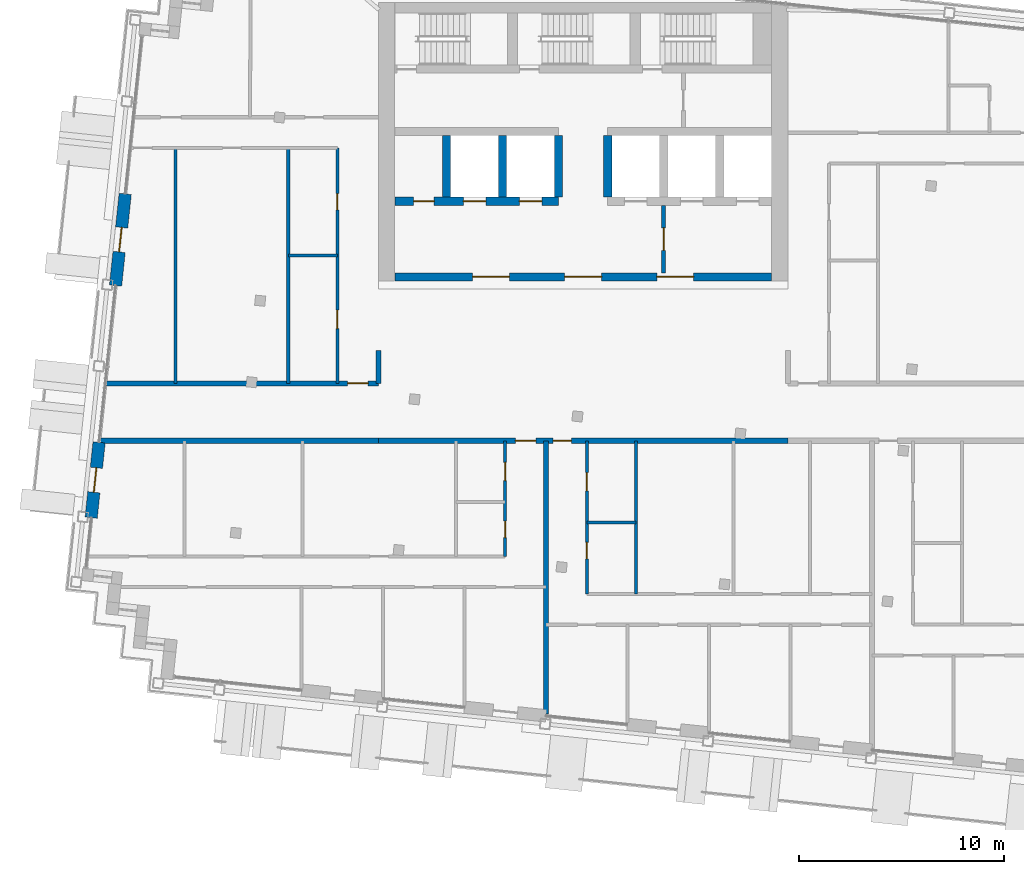
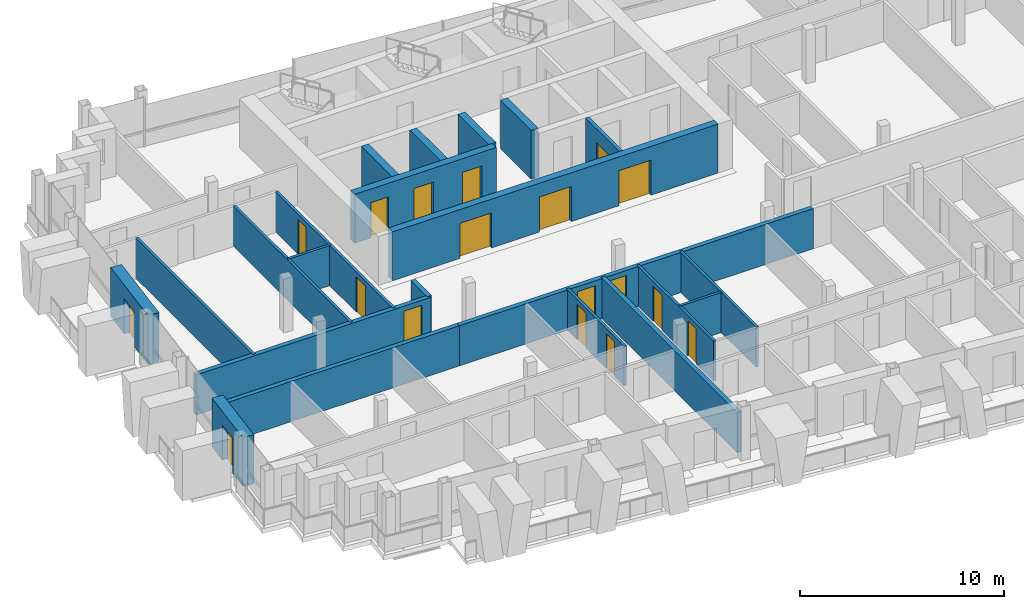
# One storey, part 9 of 17: 22 walls, 18 doors, 18 openings.
"""IFC4 building model written with IfcOpenShell, lengths in metres."""

from ifc_helpers import new_model, si_unit, direction, frame, frame_2d, origin, place, context, subcontext, project, spatial, rectangle, extrude, material, layer, layer_set, type_object, element, fill, save


model = new_model("IFC4")

# Units and contexts
model_context = context("Model", 3, precision=1e-05, world=origin(), true_north=direction((0.0, 1.0)))
body_context = subcontext(model_context, "Body", "Model", "MODEL_VIEW")
ifc_project = project(units=[si_unit("LENGTHUNIT", "METRE"), si_unit("AREAUNIT", "SQUARE_METRE"), si_unit("VOLUMEUNIT", "CUBIC_METRE"), si_unit("PLANEANGLEUNIT", "RADIAN"), si_unit("MASSUNIT", "GRAM", prefix="KILO")], contexts=[model_context])

# Site, building, storey
site_placement = place(None, origin())
site = spatial("IfcSite", under=ifc_project, at=site_placement, CompositionType="ELEMENT")
building_placement = place(site_placement, origin())
building = spatial("IfcBuilding", under=site, at=building_placement, Name="Vidyagriha Tower", CompositionType="ELEMENT")
storey_placement = place(building_placement, frame((0.0, 0.0, 269.10009765625)))
storey = spatial("IfcBuildingStorey", under=building, at=storey_placement, Name="L70", CompositionType="ELEMENT", Elevation=269.10009765625)

# Wall, opening, door
ifc_material_1 = material(Name="Precast concrete C40/50 with brick facing", Category="concrete")
ifc_layer_1 = layer(ifc_material_1, 0.60009765625)
ifc_layer_set_1 = layer_set([ifc_layer_1], Name="Precast concrete C40/50 with brick facing")
wall_type_1 = type_object("IfcWallType", Name="Brick-faced precast wall 600", PredefinedType="STANDARD", material=ifc_layer_set_1)
wall_1_placement = place(storey_placement, frame((-22.36279296875, 10.65673828125, 0.0), z_axis=(0.0, 0.0, 1.0), x_axis=(-0.104492739125, -0.994525649478, 0.0)))
wall_1 = element("IfcWall", 1, at=wall_1_placement, inside=storey, type_object=wall_type_1, Name="Brick door bay wall L70 R14.3", PredefinedType="STANDARD", context=body_context, shape_type="SweptSolid", body=[
    extrude(rectangle(XDim=4.5, YDim=0.60009765625, at=frame_2d((2.25, 0.0))), origin(), (0.0, 0.0, 1.0), 2.919921875),
])
opening_1_placement = place(wall_1_placement, frame((1.64990234375, 0.0, 0.0)))
opening_1 = element("IfcOpeningElement", 2, at=opening_1_placement, cuts=wall_1, Name="Opening D70-58", PredefinedType="OPENING", context=body_context, shape_type="SweptSolid", body=[
    extrude(rectangle(XDim=1.199951171875, YDim=2.10009765625, at=frame_2d((0.60009765625, 1.050048828125))), frame((0.0, 0.31005859375, 0.0), z_axis=(0.0, -1.0, 0.0), x_axis=(1.0, 0.0, 0.0)), (0.0, 0.0, 1.0), 0.6201171875),
])
ifc_material_2 = material(Name="Aluminium framed glazed sliding door", Category="aluminium")
door_type_1 = type_object("IfcDoorType", Name="Balcony sliding door 1200x2100", OperationType="NOTDEFINED", PredefinedType="DOOR", material=ifc_material_2)
door_1_placement = place(opening_1_placement, origin())
door_1 = element("IfcDoor", 3, at=door_1_placement, inside=storey, type_object=door_type_1, Name="Door D70-58", OperationType="SLIDING_TO_LEFT", OverallHeight=2.10009765625, OverallWidth=1.199951171875, PredefinedType="DOOR", context=body_context, shape_type="SweptSolid", body=[
    extrude(rectangle(XDim=1.199951171875, YDim=2.10009765625, at=frame_2d((0.60009765625, 1.050048828125))), frame((0.0, 0.02490234375, 0.0), z_axis=(0.0, -1.0, 0.0), x_axis=(1.0, 0.0, 0.0)), (0.0, 0.0, 1.0), 0.050048828125),
])
fill(opening_1, door_1)

wall_2_placement = place(storey_placement, frame((-23.637939453125, -1.476318359375, 0.0), z_axis=(0.0, 0.0, 1.0), x_axis=(-0.104513052986, -0.994523514933, 0.0)))
wall_2 = element("IfcWall", 4, at=wall_2_placement, inside=storey, type_object=wall_type_1, Name="Brick door bay wall L70 R14.6", PredefinedType="STANDARD", context=body_context, shape_type="SweptSolid", body=[
    extrude(rectangle(XDim=3.7001953125, YDim=0.60009765625, at=frame_2d((1.85009765625, 0.0))), origin(), (0.0, 0.0, 1.0), 2.919921875),
])
opening_2_placement = place(wall_2_placement, frame((1.25, 0.0, 0.0)))
opening_2 = element("IfcOpeningElement", 5, at=opening_2_placement, cuts=wall_2, Name="Opening D70-59", PredefinedType="OPENING", context=body_context, shape_type="SweptSolid", body=[
    extrude(rectangle(XDim=1.199951171875, YDim=2.10009765625, at=frame_2d((0.60009765625, 1.050048828125))), frame((0.0, 0.31005859375, 0.0), z_axis=(0.0, -1.0, 0.0), x_axis=(1.0, 0.0, 0.0)), (0.0, 0.0, 1.0), 0.6201171875),
])
door_2_placement = place(opening_2_placement, origin())
door_2 = element("IfcDoor", 6, at=door_2_placement, inside=storey, type_object=door_type_1, Name="Door D70-59", OperationType="SLIDING_TO_LEFT", OverallHeight=2.10009765625, OverallWidth=1.199951171875, PredefinedType="DOOR", context=body_context, shape_type="SweptSolid", body=[
    extrude(rectangle(XDim=1.199951171875, YDim=2.10009765625, at=frame_2d((0.60009765625, 1.050048828125))), frame((0.0, 0.02490234375, 0.0), z_axis=(0.0, -1.0, 0.0), x_axis=(1.0, 0.0, 0.0)), (0.0, 0.0, 1.0), 0.050048828125),
])
fill(opening_2, door_2)

# Wall, openings, doors
ifc_material_3 = material(Name="Concrete C60/75", Category="concrete")
ifc_layer_2 = layer(ifc_material_3, 0.39990234375)
ifc_layer_set_2 = layer_set([ifc_layer_2], Name="Concrete C60/75")
wall_type_2 = type_object("IfcWallType", Name="Core shear wall 400 mm", PredefinedType="SHEAR", material=ifc_layer_set_2)
wall_3_placement = place(storey_placement, frame((-9.199951171875, 6.60009765625, 0.0)))
wall_3 = element("IfcWall", 7, at=wall_3_placement, inside=storey, type_object=wall_type_2, Name="Core south wall", PredefinedType="SHEAR", context=body_context, shape_type="SweptSolid", body=[
    extrude(rectangle(XDim=18.39990234375, YDim=0.39990234375, at=frame_2d((9.199951171875, 0.0))), origin(), (0.0, 0.0, 1.0), 2.919921875),
])
opening_3_placement = place(wall_3_placement, frame((8.300048828125, 0.0, 0.0)))
opening_3 = element("IfcOpeningElement", 8, at=opening_3_placement, cuts=wall_3, Name="Opening D70-01", PredefinedType="OPENING", context=body_context, shape_type="SweptSolid", body=[
    extrude(rectangle(XDim=1.800048828125, YDim=2.10009765625, at=frame_2d((0.89990234375, 1.050048828125))), frame((0.0, 0.2099609375, 0.0), z_axis=(0.0, -1.0, 0.0), x_axis=(1.0, 0.0, 0.0)), (0.0, 0.0, 1.0), 0.419921875),
])
opening_4_placement = place(wall_3_placement, frame((3.800048828125, 0.0, 0.0)))
opening_4 = element("IfcOpeningElement", 9, at=opening_4_placement, cuts=wall_3, Name="Opening D70-02", PredefinedType="OPENING", context=body_context, shape_type="SweptSolid", body=[
    extrude(rectangle(XDim=1.800048828125, YDim=2.10009765625, at=frame_2d((0.89990234375, 1.050048828125))), frame((0.0, 0.2099609375, 0.0), z_axis=(0.0, -1.0, 0.0), x_axis=(1.0, 0.0, 0.0)), (0.0, 0.0, 1.0), 0.419921875),
])
opening_5_placement = place(wall_3_placement, frame((12.800048828125, 0.0, 0.0)))
opening_5 = element("IfcOpeningElement", 10, at=opening_5_placement, cuts=wall_3, Name="Opening D70-03", PredefinedType="OPENING", context=body_context, shape_type="SweptSolid", body=[
    extrude(rectangle(XDim=1.800048828125, YDim=2.10009765625, at=frame_2d((0.89990234375, 1.050048828125))), frame((0.0, 0.2099609375, 0.0), z_axis=(0.0, -1.0, 0.0), x_axis=(1.0, 0.0, 0.0)), (0.0, 0.0, 1.0), 0.419921875),
])
ifc_material_4 = material(Name="Hollow metal door leaf")
door_type_2 = type_object("IfcDoorType", Name="Core lobby double door 1800 x 2100 mm EI 60", OperationType="NOTDEFINED", PredefinedType="DOOR", material=ifc_material_4)
door_3_placement = place(opening_3_placement, frame((1.800048828125, 0.0, 0.0), z_axis=(0.0, 0.0, 1.0), x_axis=(-1.0, 0.0, 0.0)))
door_3 = element("IfcDoor", 11, at=door_3_placement, inside=storey, type_object=door_type_2, Name="Core entrance door L70", OperationType="DOUBLE_DOOR_SINGLE_SWING", OverallHeight=2.10009765625, OverallWidth=1.800048828125, PredefinedType="DOOR", context=body_context, shape_type="SweptSolid", body=[
    extrude(rectangle(XDim=1.800048828125, YDim=2.10009765625, at=frame_2d((0.89990234375, 1.050048828125))), frame((0.0, 0.02490234375, 0.0), z_axis=(0.0, -1.0, 0.0), x_axis=(1.0, 0.0, 0.0)), (0.0, 0.0, 1.0), 0.050048828125),
])
fill(opening_3, door_3)
door_4_placement = place(opening_4_placement, frame((1.800048828125, 0.0, 0.0), z_axis=(0.0, 0.0, 1.0), x_axis=(-1.0, 0.0, 0.0)))
door_4 = element("IfcDoor", 12, at=door_4_placement, inside=storey, type_object=door_type_2, Name="Core entrance door west L70", OperationType="DOUBLE_DOOR_SINGLE_SWING", OverallHeight=2.10009765625, OverallWidth=1.800048828125, PredefinedType="DOOR", context=body_context, shape_type="SweptSolid", body=[
    extrude(rectangle(XDim=1.800048828125, YDim=2.10009765625, at=frame_2d((0.89990234375, 1.050048828125))), frame((0.0, 0.02490234375, 0.0), z_axis=(0.0, -1.0, 0.0), x_axis=(1.0, 0.0, 0.0)), (0.0, 0.0, 1.0), 0.050048828125),
])
fill(opening_4, door_4)
door_5_placement = place(opening_5_placement, frame((1.800048828125, 0.0, 0.0), z_axis=(0.0, 0.0, 1.0), x_axis=(-1.0, 0.0, 0.0)))
door_5 = element("IfcDoor", 13, at=door_5_placement, inside=storey, type_object=door_type_2, Name="Core entrance door east L70", OperationType="DOUBLE_DOOR_SINGLE_SWING", OverallHeight=2.10009765625, OverallWidth=1.800048828125, PredefinedType="DOOR", context=body_context, shape_type="SweptSolid", body=[
    extrude(rectangle(XDim=1.800048828125, YDim=2.10009765625, at=frame_2d((0.89990234375, 1.050048828125))), frame((0.0, 0.02490234375, 0.0), z_axis=(0.0, -1.0, 0.0), x_axis=(1.0, 0.0, 0.0)), (0.0, 0.0, 1.0), 0.050048828125),
])
fill(opening_5, door_5)

wall_4_placement = place(storey_placement, frame((-9.199951171875, 10.300048828125, 0.0)))
wall_4 = element("IfcWall", 14, at=wall_4_placement, inside=storey, type_object=wall_type_2, Name="Core row N front wall", PredefinedType="SHEAR", context=body_context, shape_type="SweptSolid", body=[
    extrude(rectangle(XDim=8.0, YDim=0.39990234375, at=frame_2d((4.0, 0.0))), origin(), (0.0, 0.0, 1.0), 2.919921875),
])
opening_6_placement = place(wall_4_placement, frame((3.35009765625, 0.0, 0.0)))
opening_6 = element("IfcOpeningElement", 15, at=opening_6_placement, cuts=wall_4, Name="Opening LD70-01", PredefinedType="OPENING", context=body_context, shape_type="SweptSolid", body=[
    extrude(rectangle(XDim=1.10009765625, YDim=2.10009765625, at=frame_2d((0.550048828125, 1.050048828125))), frame((0.0, 0.2099609375, 0.0), z_axis=(0.0, -1.0, 0.0), x_axis=(1.0, 0.0, 0.0)), (0.0, 0.0, 1.0), 0.419921875),
])
opening_7_placement = place(wall_4_placement, frame((6.083251953125, 0.0, 0.0)))
opening_7 = element("IfcOpeningElement", 16, at=opening_7_placement, cuts=wall_4, Name="Opening LD70-02", PredefinedType="OPENING", context=body_context, shape_type="SweptSolid", body=[
    extrude(rectangle(XDim=1.10009765625, YDim=2.10009765625, at=frame_2d((0.550048828125, 1.050048828125))), frame((0.0, 0.2099609375, 0.0), z_axis=(0.0, -1.0, 0.0), x_axis=(1.0, 0.0, 0.0)), (0.0, 0.0, 1.0), 0.419921875),
])
opening_8_placement = place(wall_4_placement, frame((0.916748046875, 0.0, 0.0)))
opening_8 = element("IfcOpeningElement", 17, at=opening_8_placement, cuts=wall_4, Name="Opening D70-04", PredefinedType="OPENING", context=body_context, shape_type="SweptSolid", body=[
    extrude(rectangle(XDim=1.0, YDim=2.10009765625, at=frame_2d((0.5, 1.050048828125))), frame((0.0, 0.2099609375, 0.0), z_axis=(0.0, -1.0, 0.0), x_axis=(1.0, 0.0, 0.0)), (0.0, 0.0, 1.0), 0.419921875),
])
ifc_material_5 = material(Name="Hollow metal door leaf")
door_type_3 = type_object("IfcDoorType", Name="Core room door 1000 x 2100 mm EI 60", OperationType="NOTDEFINED", PredefinedType="DOOR", material=ifc_material_5)
door_6_placement = place(opening_8_placement, frame((1.0, 0.0, 0.0), z_axis=(0.0, 0.0, 1.0), x_axis=(-1.0, 0.0, 0.0)))
door_6 = element("IfcDoor", 18, at=door_6_placement, inside=storey, type_object=door_type_3, Name="Door Mechanical Riser Room 70.14", OperationType="SINGLE_SWING_RIGHT", OverallHeight=2.10009765625, OverallWidth=1.0, PredefinedType="DOOR", context=body_context, shape_type="SweptSolid", body=[
    extrude(rectangle(XDim=1.0, YDim=2.10009765625, at=frame_2d((0.5, 1.050048828125))), frame((0.0, 0.02490234375, 0.0), z_axis=(0.0, -1.0, 0.0), x_axis=(1.0, 0.0, 0.0)), (0.0, 0.0, 1.0), 0.050048828125),
])
fill(opening_8, door_6)
ifc_material_6 = material(Name="Stainless steel sliding door panel", Category="steel")
door_type_4 = type_object("IfcDoorType", Name="Lift landing door 1100 x 2100 mm EI 90", OperationType="NOTDEFINED", PredefinedType="DOOR", material=ifc_material_6)
door_7_placement = place(opening_6_placement, origin())
door_7 = element("IfcDoor", 19, at=door_7_placement, inside=storey, type_object=door_type_4, Name="Landing door HR1 L70", OperationType="SLIDING_TO_LEFT", OverallHeight=2.10009765625, OverallWidth=1.10009765625, PredefinedType="DOOR", context=body_context, shape_type="SweptSolid", body=[
    extrude(rectangle(XDim=1.10009765625, YDim=2.10009765625, at=frame_2d((0.550048828125, 1.050048828125))), frame((0.0, 0.02490234375, 0.0), z_axis=(0.0, -1.0, 0.0), x_axis=(1.0, 0.0, 0.0)), (0.0, 0.0, 1.0), 0.050048828125),
])
fill(opening_6, door_7)
door_8_placement = place(opening_7_placement, origin())
door_8 = element("IfcDoor", 20, at=door_8_placement, inside=storey, type_object=door_type_4, Name="Landing door HR2 L70", OperationType="SLIDING_TO_LEFT", OverallHeight=2.10009765625, OverallWidth=1.10009765625, PredefinedType="DOOR", context=body_context, shape_type="SweptSolid", body=[
    extrude(rectangle(XDim=1.10009765625, YDim=2.10009765625, at=frame_2d((0.550048828125, 1.050048828125))), frame((0.0, 0.02490234375, 0.0), z_axis=(0.0, -1.0, 0.0), x_axis=(1.0, 0.0, 0.0)), (0.0, 0.0, 1.0), 0.050048828125),
])
fill(opening_7, door_8)

# Walls
for number, where, z_axis, x_axis, name in (
    (21, (-6.666748046875, 10.5, 0.0), (0.0, 0.0, 1.0), (0.0, 1.0, 0.0), "Core bay wall N1"),
    (22, (-3.933349609375, 10.5, 0.0), (0.0, 0.0, 1.0), (0.0, 1.0, 0.0), "Core bay wall N2"),
    (23, (-1.199951171875, 10.5, 0.0), (0.0, 0.0, 1.0), (0.0, 1.0, 0.0), "Core bay wall N3"),
    (24, (1.199951171875, 10.5, 0.0), (0.0, 0.0, 1.0), (0.0, 1.0, 0.0), "Core bay wall N4"),
):
    element("IfcWall", number, at=place(storey_placement, frame(where, z_axis=z_axis, x_axis=x_axis)), inside=storey, type_object=wall_type_2, Name=name, PredefinedType="SHEAR", context=body_context, shape_type="SweptSolid", body=[
        extrude(rectangle(XDim=3.0, YDim=0.39990234375, at=frame_2d((1.5, 0.0))), origin(), (0.0, 0.0, 1.0), 2.919921875),
    ])
ifc_material_7 = material(Name="Fired clay brick masonry", Category="masonry")
ifc_layer_3 = layer(ifc_material_7, 0.25)
ifc_layer_set_3 = layer_set([ifc_layer_3], Name="Fired clay brick masonry")
wall_type_3 = type_object("IfcWallType", Name="Fired clay brick corridor wall 250", PredefinedType="PARTITIONING", material=ifc_layer_set_3)
wall_5_placement = place(storey_placement, frame((-10.0, -1.39990234375, 0.0), z_axis=(0.0, 0.0, 1.0), x_axis=(-1.0, 0.0, 0.0)))
element("IfcWall", 25, at=wall_5_placement, inside=storey, type_object=wall_type_3, Name="Wall all-L70-w064", PredefinedType="PARTITIONING", context=body_context, shape_type="SweptSolid", body=[
    extrude(rectangle(XDim=13.5595703125, YDim=0.25, at=frame_2d((6.77978515625, 0.0))), origin(), (0.0, 0.0, 1.0), 2.39990234375),
])

# Wall, opening, door
wall_6_placement = place(storey_placement, frame((-23.26513671875, 1.39990234375, 0.0)))
wall_6 = element("IfcWall", 26, at=wall_6_placement, inside=storey, type_object=wall_type_3, Name="Wall all-L70-w081", PredefinedType="PARTITIONING", context=body_context, shape_type="SweptSolid", body=[
    extrude(rectangle(XDim=13.26513671875, YDim=0.25, at=frame_2d((6.632568359375, 0.0))), origin(), (0.0, 0.0, 1.0), 2.39990234375),
])
opening_9_placement = place(wall_6_placement, frame((11.76513671875, 0.0, 0.0)))
opening_9 = element("IfcOpeningElement", 27, at=opening_9_placement, cuts=wall_6, Name="Opening D70-46", PredefinedType="OPENING", context=body_context, shape_type="SweptSolid", body=[
    extrude(rectangle(XDim=1.0, YDim=2.10009765625, at=frame_2d((0.5, 1.050048828125))), frame((0.0, 0.135009765625, 0.0), z_axis=(0.0, -1.0, 0.0), x_axis=(1.0, 0.0, 0.0)), (0.0, 0.0, 1.0), 0.27001953125),
])
ifc_material_8 = material(Name="Fire-rated timber door leaf EI 60", Category="wood")
door_type_5 = type_object("IfcDoorType", Name="Flat entrance fire door 1000x2100", OperationType="NOTDEFINED", PredefinedType="DOOR", material=ifc_material_8)
door_9_placement = place(opening_9_placement, origin())
door_9 = element("IfcDoor", 28, at=door_9_placement, inside=storey, type_object=door_type_5, Name="Door D70-46", OperationType="SINGLE_SWING_RIGHT", OverallHeight=2.10009765625, OverallWidth=1.0, PredefinedType="DOOR", context=body_context, shape_type="SweptSolid", body=[
    extrude(rectangle(XDim=1.0, YDim=2.10009765625, at=frame_2d((0.5, 1.050048828125))), frame((0.0, 0.02490234375, 0.0), z_axis=(0.0, -1.0, 0.0), x_axis=(1.0, 0.0, 0.0)), (0.0, 0.0, 1.0), 0.050048828125),
])
fill(opening_9, door_9)

# Wall, openings, doors
wall_7_placement = place(storey_placement, frame((10.0, -1.39990234375, 0.0), z_axis=(0.0, 0.0, 1.0), x_axis=(-1.0, 0.0, 0.0)))
wall_7 = element("IfcWall", 29, at=wall_7_placement, inside=storey, type_object=wall_type_3, Name="Wall all-L70-w107", PredefinedType="PARTITIONING", context=body_context, shape_type="SweptSolid", body=[
    extrude(rectangle(XDim=20.0, YDim=0.25, at=frame_2d((10.0, 0.0))), origin(), (0.0, 0.0, 1.0), 2.39990234375),
])
opening_10_placement = place(wall_7_placement, frame((12.31396484375, 0.0, 0.0)))
opening_10 = element("IfcOpeningElement", 30, at=opening_10_placement, cuts=wall_7, Name="Opening D70-19", PredefinedType="OPENING", context=body_context, shape_type="SweptSolid", body=[
    extrude(rectangle(XDim=1.0, YDim=2.10009765625, at=frame_2d((0.5, 1.050048828125))), frame((0.0, 0.135009765625, 0.0), z_axis=(0.0, -1.0, 0.0), x_axis=(1.0, 0.0, 0.0)), (0.0, 0.0, 1.0), 0.27001953125),
])
opening_11_placement = place(wall_7_placement, frame((10.5703125, 0.0, 0.0)))
opening_11 = element("IfcOpeningElement", 31, at=opening_11_placement, cuts=wall_7, Name="Opening D70-29", PredefinedType="OPENING", context=body_context, shape_type="SweptSolid", body=[
    extrude(rectangle(XDim=0.89990234375, YDim=2.10009765625, at=frame_2d((0.449951171875, 1.050048828125))), frame((0.0, 0.135009765625, 0.0), z_axis=(0.0, -1.0, 0.0), x_axis=(1.0, 0.0, 0.0)), (0.0, 0.0, 1.0), 0.27001953125),
])
door_10_placement = place(opening_10_placement, origin())
door_10 = element("IfcDoor", 32, at=door_10_placement, inside=storey, type_object=door_type_5, Name="Door D70-19", OperationType="SINGLE_SWING_LEFT", OverallHeight=2.10009765625, OverallWidth=1.0, PredefinedType="DOOR", context=body_context, shape_type="SweptSolid", body=[
    extrude(rectangle(XDim=1.0, YDim=2.10009765625, at=frame_2d((0.5, 1.050048828125))), frame((0.0, 0.02490234375, 0.0), z_axis=(0.0, -1.0, 0.0), x_axis=(1.0, 0.0, 0.0)), (0.0, 0.0, 1.0), 0.050048828125),
])
fill(opening_10, door_10)
ifc_material_9 = material(Name="Fire-rated timber door leaf EI 60", Category="wood")
door_type_6 = type_object("IfcDoorType", Name="Flat entrance fire door 900x2100", OperationType="NOTDEFINED", PredefinedType="DOOR", material=ifc_material_9)
door_11_placement = place(opening_11_placement, origin())
door_11 = element("IfcDoor", 33, at=door_11_placement, inside=storey, type_object=door_type_6, Name="Door D70-29", OperationType="SINGLE_SWING_RIGHT", OverallHeight=2.10009765625, OverallWidth=0.89990234375, PredefinedType="DOOR", context=body_context, shape_type="SweptSolid", body=[
    extrude(rectangle(XDim=0.89990234375, YDim=2.10009765625, at=frame_2d((0.449951171875, 1.050048828125))), frame((0.0, 0.02490234375, 0.0), z_axis=(0.0, -1.0, 0.0), x_axis=(1.0, 0.0, 0.0)), (0.0, 0.0, 1.0), 0.050048828125),
])
fill(opening_11, door_11)

# Walls
wall_8_placement = place(storey_placement, frame((-10.0, 3.0, 0.0), z_axis=(0.0, 0.0, 1.0), x_axis=(0.0, -1.0, 0.0)))
element("IfcWall", 34, at=wall_8_placement, inside=storey, type_object=wall_type_3, Name="Wall all-L70-w108", PredefinedType="PARTITIONING", context=body_context, shape_type="SweptSolid", body=[
    extrude(rectangle(XDim=1.60009765625, YDim=0.25, at=frame_2d((0.800048828125, 0.0))), origin(), (0.0, 0.0, 1.0), 2.39990234375),
])
ifc_material_10 = material(Name="Fired clay brick masonry", Category="masonry")
ifc_layer_4 = layer(ifc_material_10, 0.25)
ifc_layer_set_4 = layer_set([ifc_layer_4], Name="Fired clay brick masonry")
wall_type_4 = type_object("IfcWallType", Name="Fired clay brick demising wall 250", PredefinedType="PARTITIONING", material=ifc_layer_set_4)
wall_9_placement = place(storey_placement, frame((-1.81396484375, -1.39990234375, 0.0), z_axis=(0.0, 0.0, 1.0), x_axis=(0.0, -1.0, 0.0)))
element("IfcWall", 35, at=wall_9_placement, inside=storey, type_object=wall_type_4, Name="Wall all-L70-w041", PredefinedType="PARTITIONING", context=body_context, shape_type="SweptSolid", body=[
    extrude(rectangle(XDim=13.340576171875, YDim=0.25, at=frame_2d((6.67041015625, 0.0))), origin(), (0.0, 0.0, 1.0), 2.39990234375),
])
ifc_material_11 = material(Name="Gypsum board partition")
ifc_layer_5 = layer(ifc_material_11, 0.14990234375)
ifc_layer_set_5 = layer_set([ifc_layer_5], Name="Gypsum board partition")
wall_type_5 = type_object("IfcWallType", Name="Gypsum board partition 150", PredefinedType="PARTITIONING", material=ifc_layer_set_5)
wall_10_placement = place(storey_placement, frame((2.5859375, -5.39990234375, 0.0), z_axis=(0.0, 0.0, 1.0), x_axis=(-1.0, 0.0, 0.0)))
element("IfcWall", 36, at=wall_10_placement, inside=storey, type_object=wall_type_5, Name="Wall all-L70-w024", PredefinedType="PARTITIONING", context=body_context, shape_type="SweptSolid", body=[
    extrude(rectangle(XDim=2.39990234375, YDim=0.14990234375, at=frame_2d((1.199951171875, 0.0))), origin(), (0.0, 0.0, 1.0), 2.39990234375),
])
wall_11_placement = place(storey_placement, frame((2.5859375, -1.39990234375, 0.0), z_axis=(0.0, 0.0, 1.0), x_axis=(0.0, -1.0, 0.0)))
element("IfcWall", 37, at=wall_11_placement, inside=storey, type_object=wall_type_5, Name="Wall all-L70-w025", PredefinedType="PARTITIONING", context=body_context, shape_type="SweptSolid", body=[
    extrude(rectangle(XDim=7.483642578125, YDim=0.14990234375, at=frame_2d((3.74169921875, 0.0))), origin(), (0.0, 0.0, 1.0), 2.39990234375),
])
wall_12_placement = place(storey_placement, frame((-14.39990234375, 7.64990234375, 0.0)))
element("IfcWall", 38, at=wall_12_placement, inside=storey, type_object=wall_type_5, Name="Wall all-L70-w070", PredefinedType="PARTITIONING", context=body_context, shape_type="SweptSolid", body=[
    extrude(rectangle(XDim=2.39990234375, YDim=0.14990234375, at=frame_2d((1.199951171875, 0.0))), origin(), (0.0, 0.0, 1.0), 2.39990234375),
])
for number, where, z_axis, x_axis, name in (
    (39, (-14.39990234375, 1.39990234375, 0.0), (0.0, 0.0, 1.0), (0.0, 1.0, 0.0), "Wall all-L70-w071"),
    (40, (-19.89990234375, 1.39990234375, 0.0), (0.0, 0.0, 1.0), (0.0, 1.0, 0.0), "Wall all-L70-w072"),
):
    element("IfcWall", number, at=place(storey_placement, frame(where, z_axis=z_axis, x_axis=x_axis)), inside=storey, type_object=wall_type_5, Name=name, PredefinedType="PARTITIONING", context=body_context, shape_type="SweptSolid", body=[
        extrude(rectangle(XDim=11.5, YDim=0.14990234375, at=frame_2d((5.75, 0.0))), origin(), (0.0, 0.0, 1.0), 2.39990234375),
    ])

# Wall, openings, doors
ifc_material_12 = material(Name="Moisture resistant gypsum board partition")
ifc_layer_6 = layer(ifc_material_12, 0.14990234375)
ifc_layer_set_6 = layer_set([ifc_layer_6], Name="Moisture resistant gypsum board partition")
wall_type_6 = type_object("IfcWallType", Name="Gypsum board wet-area partition 150", PredefinedType="PARTITIONING", material=ifc_layer_set_6)
wall_13_placement = place(storey_placement, frame((-3.81396484375, -7.046630859375, 0.0), z_axis=(0.0, 0.0, 1.0), x_axis=(0.0, 1.0, 0.0)))
wall_13 = element("IfcWall", 41, at=wall_13_placement, inside=storey, type_object=wall_type_6, Name="Wall all-L70-w001", PredefinedType="PARTITIONING", context=body_context, shape_type="SweptSolid", body=[
    extrude(rectangle(XDim=5.646728515625, YDim=0.14990234375, at=frame_2d((2.8232421875, 0.0))), origin(), (0.0, 0.0, 1.0), 2.39990234375),
])
opening_12_placement = place(wall_13_placement, frame((3.696533203125, 0.0, 0.0)))
opening_12 = element("IfcOpeningElement", 42, at=opening_12_placement, cuts=wall_13, Name="Opening D70-10", PredefinedType="OPENING", context=body_context, shape_type="SweptSolid", body=[
    extrude(rectangle(XDim=0.89990234375, YDim=2.10009765625, at=frame_2d((0.449951171875, 1.050048828125))), frame((0.0, 0.0849609375, 0.0), z_axis=(0.0, -1.0, 0.0), x_axis=(1.0, 0.0, 0.0)), (0.0, 0.0, 1.0), 0.169921875),
])
opening_13_placement = place(wall_13_placement, frame((0.92333984375, 0.0, 0.0)))
opening_13 = element("IfcOpeningElement", 43, at=opening_13_placement, cuts=wall_13, Name="Opening D70-11", PredefinedType="OPENING", context=body_context, shape_type="SweptSolid", body=[
    extrude(rectangle(XDim=0.800048828125, YDim=2.10009765625, at=frame_2d((0.39990234375, 1.050048828125))), frame((0.0, 0.0849609375, 0.0), z_axis=(0.0, -1.0, 0.0), x_axis=(1.0, 0.0, 0.0)), (0.0, 0.0, 1.0), 0.169921875),
])
ifc_material_13 = material(Name="Timber door leaf", Category="wood")
door_type_7 = type_object("IfcDoorType", Name="Bathroom door 800x2100", OperationType="NOTDEFINED", PredefinedType="DOOR", material=ifc_material_13)
door_12_placement = place(opening_13_placement, origin())
door_12 = element("IfcDoor", 44, at=door_12_placement, inside=storey, type_object=door_type_7, Name="Door D70-11", OperationType="SINGLE_SWING_RIGHT", OverallHeight=2.10009765625, OverallWidth=0.800048828125, PredefinedType="DOOR", context=body_context, shape_type="SweptSolid", body=[
    extrude(rectangle(XDim=0.800048828125, YDim=2.10009765625, at=frame_2d((0.39990234375, 1.050048828125))), frame((0.0, 0.02490234375, 0.0), z_axis=(0.0, -1.0, 0.0), x_axis=(1.0, 0.0, 0.0)), (0.0, 0.0, 1.0), 0.050048828125),
])
fill(opening_13, door_12)
ifc_material_14 = material(Name="Timber door leaf", Category="wood")
door_type_8 = type_object("IfcDoorType", Name="Kitchen door 900x2100", OperationType="NOTDEFINED", PredefinedType="DOOR", material=ifc_material_14)
door_13_placement = place(opening_12_placement, origin())
door_13 = element("IfcDoor", 45, at=door_13_placement, inside=storey, type_object=door_type_8, Name="Door D70-10", OperationType="SINGLE_SWING_LEFT", OverallHeight=2.10009765625, OverallWidth=0.89990234375, PredefinedType="DOOR", context=body_context, shape_type="SweptSolid", body=[
    extrude(rectangle(XDim=0.89990234375, YDim=2.10009765625, at=frame_2d((0.449951171875, 1.050048828125))), frame((0.0, 0.02490234375, 0.0), z_axis=(0.0, -1.0, 0.0), x_axis=(1.0, 0.0, 0.0)), (0.0, 0.0, 1.0), 0.050048828125),
])
fill(opening_12, door_13)

wall_14_placement = place(storey_placement, frame((0.18603515625, -1.39990234375, 0.0), z_axis=(0.0, 0.0, 1.0), x_axis=(0.0, -1.0, 0.0)))
wall_14 = element("IfcWall", 46, at=wall_14_placement, inside=storey, type_object=wall_type_6, Name="Wall all-L70-w021", PredefinedType="PARTITIONING", context=body_context, shape_type="SweptSolid", body=[
    extrude(rectangle(XDim=7.483642578125, YDim=0.14990234375, at=frame_2d((3.74169921875, 0.0))), origin(), (0.0, 0.0, 1.0), 2.39990234375),
])
opening_14_placement = place(wall_14_placement, frame((1.550048828125, 0.0, 0.0)))
opening_14 = element("IfcOpeningElement", 47, at=opening_14_placement, cuts=wall_14, Name="Opening D70-20", PredefinedType="OPENING", context=body_context, shape_type="SweptSolid", body=[
    extrude(rectangle(XDim=0.89990234375, YDim=2.10009765625, at=frame_2d((0.449951171875, 1.050048828125))), frame((0.0, 0.0849609375, 0.0), z_axis=(0.0, -1.0, 0.0), x_axis=(1.0, 0.0, 0.0)), (0.0, 0.0, 1.0), 0.169921875),
])
opening_15_placement = place(wall_14_placement, frame((4.9658203125, 0.0, 0.0)))
opening_15 = element("IfcOpeningElement", 48, at=opening_15_placement, cuts=wall_14, Name="Opening D70-21", PredefinedType="OPENING", context=body_context, shape_type="SweptSolid", body=[
    extrude(rectangle(XDim=0.800048828125, YDim=2.10009765625, at=frame_2d((0.39990234375, 1.050048828125))), frame((0.0, 0.0849609375, 0.0), z_axis=(0.0, -1.0, 0.0), x_axis=(1.0, 0.0, 0.0)), (0.0, 0.0, 1.0), 0.169921875),
])
door_14_placement = place(opening_15_placement, origin())
door_14 = element("IfcDoor", 49, at=door_14_placement, inside=storey, type_object=door_type_7, Name="Door D70-21", OperationType="SINGLE_SWING_LEFT", OverallHeight=2.10009765625, OverallWidth=0.800048828125, PredefinedType="DOOR", context=body_context, shape_type="SweptSolid", body=[
    extrude(rectangle(XDim=0.800048828125, YDim=2.10009765625, at=frame_2d((0.39990234375, 1.050048828125))), frame((0.0, 0.02490234375, 0.0), z_axis=(0.0, -1.0, 0.0), x_axis=(1.0, 0.0, 0.0)), (0.0, 0.0, 1.0), 0.050048828125),
])
fill(opening_15, door_14)
door_15_placement = place(opening_14_placement, origin())
door_15 = element("IfcDoor", 50, at=door_15_placement, inside=storey, type_object=door_type_8, Name="Door D70-20", OperationType="SINGLE_SWING_LEFT", OverallHeight=2.10009765625, OverallWidth=0.89990234375, PredefinedType="DOOR", context=body_context, shape_type="SweptSolid", body=[
    extrude(rectangle(XDim=0.89990234375, YDim=2.10009765625, at=frame_2d((0.449951171875, 1.050048828125))), frame((0.0, 0.02490234375, 0.0), z_axis=(0.0, -1.0, 0.0), x_axis=(1.0, 0.0, 0.0)), (0.0, 0.0, 1.0), 0.050048828125),
])
fill(opening_14, door_15)

wall_15_placement = place(storey_placement, frame((-12.0, 1.39990234375, 0.0), z_axis=(0.0, 0.0, 1.0), x_axis=(0.0, 1.0, 0.0)))
wall_15 = element("IfcWall", 51, at=wall_15_placement, inside=storey, type_object=wall_type_6, Name="Wall all-L70-w067", PredefinedType="PARTITIONING", context=body_context, shape_type="SweptSolid", body=[
    extrude(rectangle(XDim=11.5, YDim=0.14990234375, at=frame_2d((5.75, 0.0))), origin(), (0.0, 0.0, 1.0), 2.39990234375),
])
opening_16_placement = place(wall_15_placement, frame((2.675048828125, 0.0, 0.0)))
opening_16 = element("IfcOpeningElement", 52, at=opening_16_placement, cuts=wall_15, Name="Opening D70-40", PredefinedType="OPENING", context=body_context, shape_type="SweptSolid", body=[
    extrude(rectangle(XDim=0.89990234375, YDim=2.10009765625, at=frame_2d((0.449951171875, 1.050048828125))), frame((0.0, 0.0849609375, 0.0), z_axis=(0.0, -1.0, 0.0), x_axis=(1.0, 0.0, 0.0)), (0.0, 0.0, 1.0), 0.169921875),
])
opening_17_placement = place(wall_15_placement, frame((8.47509765625, 0.0, 0.0)))
opening_17 = element("IfcOpeningElement", 53, at=opening_17_placement, cuts=wall_15, Name="Opening D70-41", PredefinedType="OPENING", context=body_context, shape_type="SweptSolid", body=[
    extrude(rectangle(XDim=0.800048828125, YDim=2.10009765625, at=frame_2d((0.39990234375, 1.050048828125))), frame((0.0, 0.0849609375, 0.0), z_axis=(0.0, -1.0, 0.0), x_axis=(1.0, 0.0, 0.0)), (0.0, 0.0, 1.0), 0.169921875),
])
door_16_placement = place(opening_17_placement, origin())
door_16 = element("IfcDoor", 54, at=door_16_placement, inside=storey, type_object=door_type_7, Name="Door D70-41", OperationType="SINGLE_SWING_RIGHT", OverallHeight=2.10009765625, OverallWidth=0.800048828125, PredefinedType="DOOR", context=body_context, shape_type="SweptSolid", body=[
    extrude(rectangle(XDim=0.800048828125, YDim=2.10009765625, at=frame_2d((0.39990234375, 1.050048828125))), frame((0.0, 0.02490234375, 0.0), z_axis=(0.0, -1.0, 0.0), x_axis=(1.0, 0.0, 0.0)), (0.0, 0.0, 1.0), 0.050048828125),
])
fill(opening_17, door_16)
door_17_placement = place(opening_16_placement, origin())
door_17 = element("IfcDoor", 55, at=door_17_placement, inside=storey, type_object=door_type_8, Name="Door D70-40", OperationType="SINGLE_SWING_RIGHT", OverallHeight=2.10009765625, OverallWidth=0.89990234375, PredefinedType="DOOR", context=body_context, shape_type="SweptSolid", body=[
    extrude(rectangle(XDim=0.89990234375, YDim=2.10009765625, at=frame_2d((0.449951171875, 1.050048828125))), frame((0.0, 0.02490234375, 0.0), z_axis=(0.0, -1.0, 0.0), x_axis=(1.0, 0.0, 0.0)), (0.0, 0.0, 1.0), 0.050048828125),
])
fill(opening_16, door_17)

# Wall, opening, door
ifc_material_15 = material(Name="Blockwork 15 MPa", Category="masonry")
ifc_layer_7 = layer(ifc_material_15, 0.199951171875)
ifc_layer_set_7 = layer_set([ifc_layer_7], Name="Blockwork 15 MPa")
wall_type_7 = type_object("IfcWallType", Name="Service room partition 200 mm", PredefinedType="PARTITIONING", material=ifc_layer_set_7)
wall_16_placement = place(storey_placement, frame((3.933349609375, 6.800048828125, 0.0), z_axis=(0.0, 0.0, 1.0), x_axis=(0.0, 1.0, 0.0)))
wall_16 = element("IfcWall", 56, at=wall_16_placement, inside=storey, type_object=wall_type_7, Name="Fire-fighting lobby west wall", PredefinedType="PARTITIONING", context=body_context, shape_type="SweptSolid", body=[
    extrude(rectangle(XDim=3.300048828125, YDim=0.199951171875, at=frame_2d((1.64990234375, 0.0))), origin(), (0.0, 0.0, 1.0), 2.919921875),
])
opening_18_placement = place(wall_16_placement, frame((1.10009765625, 0.0, 0.0)))
opening_18 = element("IfcOpeningElement", 57, at=opening_18_placement, cuts=wall_16, Name="Opening D70-05", PredefinedType="OPENING", context=body_context, shape_type="SweptSolid", body=[
    extrude(rectangle(XDim=1.10009765625, YDim=2.10009765625, at=frame_2d((0.550048828125, 1.050048828125))), frame((0.0, 0.10986328125, 0.0), z_axis=(0.0, -1.0, 0.0), x_axis=(1.0, 0.0, 0.0)), (0.0, 0.0, 1.0), 0.219970703125),
])
ifc_material_16 = material(Name="Hollow metal door leaf")
door_type_9 = type_object("IfcDoorType", Name="Fire-fighting lobby door 1100 x 2100 mm EI 90", OperationType="NOTDEFINED", PredefinedType="DOOR", material=ifc_material_16)
door_18_placement = place(opening_18_placement, origin())
door_18 = element("IfcDoor", 58, at=door_18_placement, inside=storey, type_object=door_type_9, Name="Fire-fighting lobby door L70", OperationType="SINGLE_SWING_RIGHT", OverallHeight=2.10009765625, OverallWidth=1.10009765625, PredefinedType="DOOR", context=body_context, shape_type="SweptSolid", body=[
    extrude(rectangle(XDim=1.10009765625, YDim=2.10009765625, at=frame_2d((0.550048828125, 1.050048828125))), frame((0.0, 0.02490234375, 0.0), z_axis=(0.0, -1.0, 0.0), x_axis=(1.0, 0.0, 0.0)), (0.0, 0.0, 1.0), 0.050048828125),
])
fill(opening_18, door_18)

save(model, "model.ifc")
